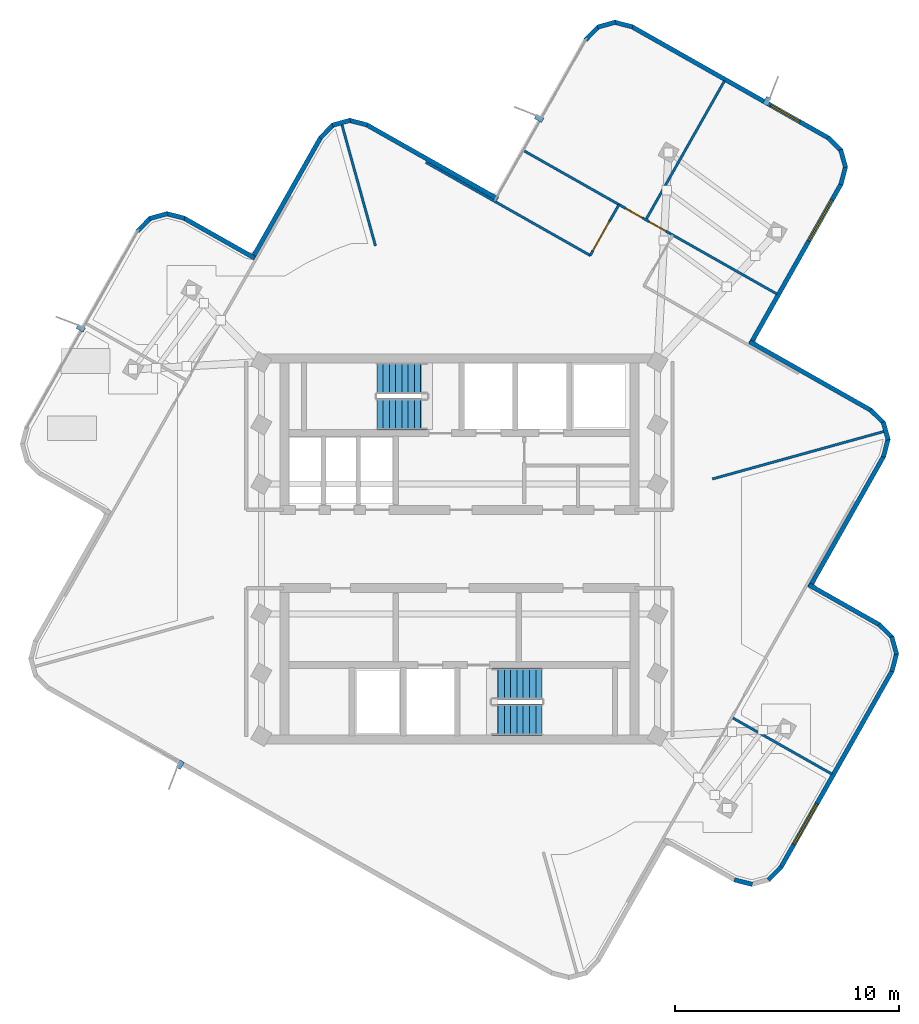
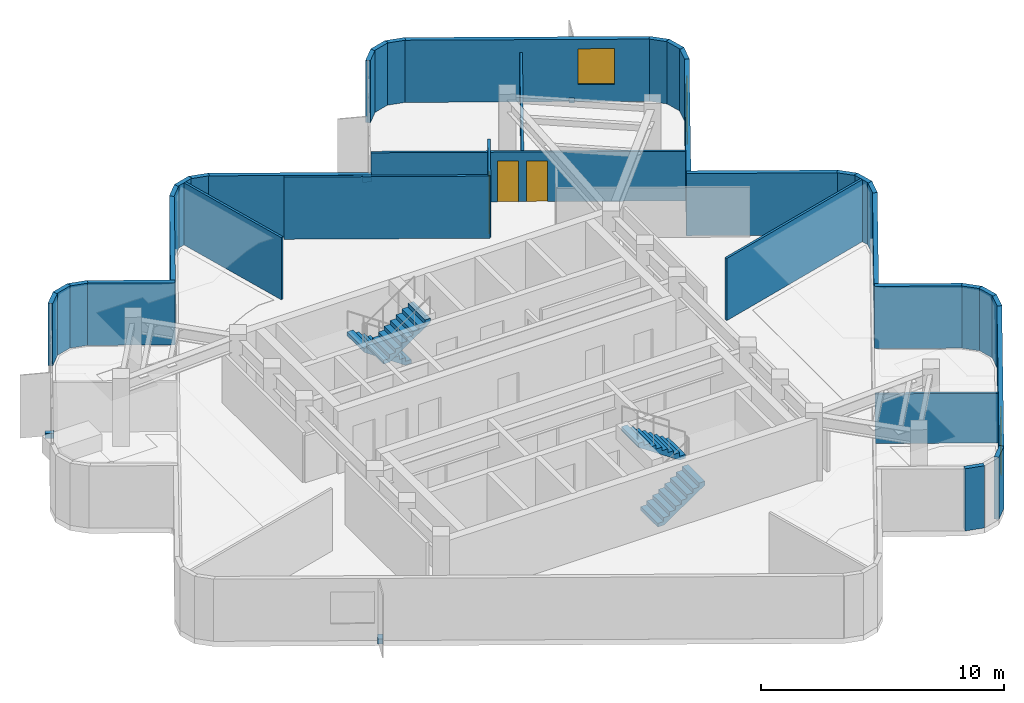
# One storey, part 7 of 11: 36 walls, 4 discrete accessories, 4 stair flights, 3 doors, 3 windows, 6 openings, 2 elements without a shape of their own.
"""IFC4 building model written with IfcOpenShell, lengths in metres."""

from ifc_helpers import new_model, si_unit, direction, frame, frame_2d, origin, origin_2d, place, context, subcontext, project, spatial, polyline, rectangle, outline, extrude, material, layer, layer_set, type_object, element, fill, aggregate, save


model = new_model("IFC4")

# Units and contexts
model_context = context("Model", 3, precision=1e-05, world=origin(), true_north=direction((0.0, 1.0)))
body_context = subcontext(model_context, "Body", "Model", "MODEL_VIEW")
ifc_project = project(units=[si_unit("LENGTHUNIT", "METRE"), si_unit("AREAUNIT", "SQUARE_METRE"), si_unit("VOLUMEUNIT", "CUBIC_METRE"), si_unit("PLANEANGLEUNIT", "RADIAN"), si_unit("MASSUNIT", "GRAM", prefix="KILO")], contexts=[model_context])

# Site, building, storey
site_placement = place(None, origin())
site = spatial("IfcSite", under=ifc_project, at=site_placement, CompositionType="ELEMENT")
building_placement = place(site_placement, origin())
building = spatial("IfcBuilding", under=site, at=building_placement, Name="Solmarez Civic Tower", CompositionType="ELEMENT")
storey_placement = place(building_placement, frame((0.0, 0.0, 281.699951171875)))
storey = spatial("IfcBuildingStorey", under=building, at=storey_placement, Name="L76", CompositionType="ELEMENT", Elevation=281.699951171875)

# Walls
ifc_material_1 = material(Name="Precast concrete C40/50", Category="concrete")
ifc_layer_1 = layer(ifc_material_1, 0.199951171875)
ifc_layer_set_1 = layer_set([ifc_layer_1], Name="Precast concrete C40/50")
wall_type_1 = type_object("IfcWallType", Name="WALL-EXT-200", PredefinedType="SOLIDWALL", material=ifc_layer_set_1)
wall_1_placement = place(storey_placement, frame((-14.382080078125, 14.19091796875, 0.0), z_axis=(0.0, 0.0, 1.0), x_axis=(0.701706468749, 0.712466161804, 0.0)))
element("IfcWall", 1, at=wall_1_placement, inside=storey, type_object=wall_type_1, Name="L76 Exterior Precast Wall 18", PredefinedType="SOLIDWALL", context=body_context, shape_type="SweptSolid", body=[
    extrude(rectangle(XDim=0.839599609375, YDim=0.199951171875, at=frame_2d((0.419921875, 0.0))), origin(), (0.0, 0.0, 1.0), 3.1201171875),
])
wall_2_placement = place(storey_placement, frame((-13.8349609375, 14.763916015625, 0.0), z_axis=(0.0, 0.0, 1.0), x_axis=(0.963780368541, 0.266697208862, 0.0)))
element("IfcWall", 2, at=wall_2_placement, inside=storey, type_object=wall_type_1, Name="L76 Exterior Precast Wall 19", PredefinedType="SOLIDWALL", context=body_context, shape_type="SweptSolid", body=[
    extrude(rectangle(XDim=0.82470703125, YDim=0.199951171875, at=frame_2d((0.412353515625, 0.0))), origin(), (0.0, 0.0, 1.0), 3.1201171875),
])
wall_3_placement = place(storey_placement, frame((-13.087890625, 14.98291015625, 0.0), z_axis=(0.0, 0.0, 1.0), x_axis=(0.968350107443, -0.249595812096, 0.0)))
element("IfcWall", 3, at=wall_3_placement, inside=storey, type_object=wall_type_1, Name="L76 Exterior Precast Wall 20", PredefinedType="SOLIDWALL", context=body_context, shape_type="SweptSolid", body=[
    extrude(rectangle(XDim=0.83740234375, YDim=0.199951171875, at=frame_2d((0.418701171875, 0.0))), origin(), (0.0, 0.0, 1.0), 3.1201171875),
])
wall_4_placement = place(storey_placement, frame((-12.322998046875, 14.7919921875, 0.0), z_axis=(0.0, 0.0, 1.0), x_axis=(0.870412972764, -0.492322309918, 0.0)))
element("IfcWall", 4, at=wall_4_placement, inside=storey, type_object=wall_type_1, Name="L76 Exterior Precast Wall 21", PredefinedType="SOLIDWALL", context=body_context, shape_type="SweptSolid", body=[
    extrude(rectangle(XDim=3.641845703125, YDim=0.199951171875, at=frame_2d((1.82080078125, 0.0))), origin(), (0.0, 0.0, 1.0), 3.1201171875),
])
wall_5_placement = place(storey_placement, frame((-9.261962890625, 12.968017578125, 0.0), z_axis=(0.0, 0.0, 1.0), x_axis=(0.492583125855, 0.87026539867, 0.0)))
element("IfcWall", 5, at=wall_5_placement, inside=storey, type_object=wall_type_1, Name="L76 Exterior Precast Wall 24", PredefinedType="SOLIDWALL", context=body_context, shape_type="SweptSolid", body=[
    extrude(rectangle(XDim=6.240478515625, YDim=0.199951171875, at=frame_2d((3.1201171875, 0.0))), origin(), (0.0, 0.0, 1.0), 3.1201171875),
])
wall_6_placement = place(storey_placement, frame((-6.218017578125, 18.35888671875, 0.0), z_axis=(0.0, 0.0, 1.0), x_axis=(0.701706468749, 0.712466161804, 0.0)))
element("IfcWall", 6, at=wall_6_placement, inside=storey, type_object=wall_type_1, Name="L76 Exterior Precast Wall 25", PredefinedType="SOLIDWALL", context=body_context, shape_type="SweptSolid", body=[
    extrude(rectangle(XDim=0.839599609375, YDim=0.199951171875, at=frame_2d((0.419921875, 0.0))), origin(), (0.0, 0.0, 1.0), 3.1201171875),
])
wall_7_placement = place(storey_placement, frame((-5.6708984375, 18.931884765625, 0.0), z_axis=(0.0, 0.0, 1.0), x_axis=(0.963313924885, 0.268377126675, 0.0)))
element("IfcWall", 7, at=wall_7_placement, inside=storey, type_object=wall_type_1, Name="L76 Exterior Precast Wall 26", PredefinedType="SOLIDWALL", context=body_context, shape_type="SweptSolid", body=[
    extrude(rectangle(XDim=0.82421875, YDim=0.199951171875, at=frame_2d((0.412109375, 0.0))), origin(), (0.0, 0.0, 1.0), 3.1201171875),
])
wall_8_placement = place(storey_placement, frame((-4.925048828125, 19.152099609375, 0.0), z_axis=(0.0, 0.0, 1.0), x_axis=(0.968015248239, -0.250891369276, 0.0)))
element("IfcWall", 8, at=wall_8_placement, inside=storey, type_object=wall_type_1, Name="L76 Exterior Precast Wall 27", PredefinedType="SOLIDWALL", context=body_context, shape_type="SweptSolid", body=[
    extrude(rectangle(XDim=0.837890625, YDim=0.199951171875, at=frame_2d((0.4189453125, 0.0))), origin(), (0.0, 0.0, 1.0), 3.1201171875),
])
wall_9_placement = place(storey_placement, frame((-4.159912109375, 18.9599609375, 0.0), z_axis=(0.0, 0.0, 1.0), x_axis=(0.870345588147, -0.492441425139, 0.0)))
element("IfcWall", 9, at=wall_9_placement, inside=storey, type_object=wall_type_1, Name="L76 Exterior Precast Wall 28", PredefinedType="SOLIDWALL", context=body_context, shape_type="SweptSolid", body=[
    extrude(rectangle(XDim=6.741943359375, YDim=0.199951171875, at=frame_2d((3.37109375, 0.0))), origin(), (0.0, 0.0, 1.0), 3.1201171875),
])
wall_10_placement = place(storey_placement, frame((5.62890625, 22.740966796875, 0.0), z_axis=(0.0, 0.0, 1.0), x_axis=(0.701706468749, 0.712466161804, 0.0)))
element("IfcWall", 10, at=wall_10_placement, inside=storey, type_object=wall_type_1, Name="L76 Exterior Precast Wall 32", PredefinedType="SOLIDWALL", context=body_context, shape_type="SweptSolid", body=[
    extrude(rectangle(XDim=0.839599609375, YDim=0.199951171875, at=frame_2d((0.419921875, 0.0))), origin(), (0.0, 0.0, 1.0), 3.1201171875),
])
wall_11_placement = place(storey_placement, frame((6.176025390625, 23.31396484375, 0.0), z_axis=(0.0, 0.0, 1.0), x_axis=(0.963390474438, 0.268102207677, 0.0)))
element("IfcWall", 11, at=wall_11_placement, inside=storey, type_object=wall_type_1, Name="L76 Exterior Precast Wall 33", PredefinedType="SOLIDWALL", context=body_context, shape_type="SweptSolid", body=[
    extrude(rectangle(XDim=0.82421875, YDim=0.199951171875, at=frame_2d((0.412109375, 0.0))), origin(), (0.0, 0.0, 1.0), 3.1201171875),
])
wall_12_placement = place(storey_placement, frame((6.922119140625, 23.533935546875, 0.0), z_axis=(0.0, 0.0, 1.0), x_axis=(0.968067673617, -0.250689009127, 0.0)))
element("IfcWall", 12, at=wall_12_placement, inside=storey, type_object=wall_type_1, Name="L76 Exterior Precast Wall 34", PredefinedType="SOLIDWALL", context=body_context, shape_type="SweptSolid", body=[
    extrude(rectangle(XDim=0.837646484375, YDim=0.199951171875, at=frame_2d((0.4189453125, 0.0))), origin(), (0.0, 0.0, 1.0), 3.1201171875),
])

# Wall, opening, window
wall_13_placement = place(storey_placement, frame((7.68701171875, 23.342041015625, 0.0), z_axis=(0.0, 0.0, 1.0), x_axis=(0.870205552017, -0.49268884424, 0.0)))
wall_13 = element("IfcWall", 13, at=wall_13_placement, inside=storey, type_object=wall_type_1, Name="L76 Exterior Precast Wall 35", PredefinedType="SOLIDWALL", context=body_context, shape_type="SweptSolid", body=[
    extrude(rectangle(XDim=10.1240234375, YDim=0.199951171875, at=frame_2d((5.06201171875, 0.0))), origin(), (0.0, 0.0, 1.0), 3.1201171875),
])
opening_1_placement = place(wall_13_placement, frame((7.14697265625, 0.0, 0.85009765625)))
opening_1 = element("IfcOpeningElement", 14, at=opening_1_placement, cuts=wall_13, Name="Opening W-13", PredefinedType="OPENING", context=body_context, shape_type="SweptSolid", body=[
    extrude(rectangle(XDim=1.5, YDim=1.800048828125, at=frame_2d((0.75, 0.89990234375))), frame((0.0, 0.10986328125, 0.0), z_axis=(0.0, -1.0, 0.0), x_axis=(1.0, 0.0, 0.0)), (0.0, 0.0, 1.0), 0.219970703125),
])
ifc_material_2 = material(Name="Solar Control Bronze-Tinted Insulating Glass", Category="glass")
window_type_1 = type_object("IfcWindowType", Name="WIN-1500X1800", PartitioningType="SINGLE_PANEL", PredefinedType="WINDOW", material=ifc_material_2)
window_1_placement = place(opening_1_placement, origin())
window_1 = element("IfcWindow", 15, at=window_1_placement, inside=storey, type_object=window_type_1, Name="L76 Exterior Facade Window 35", OverallHeight=1.800048828125, OverallWidth=1.5, PartitioningType="SINGLE_PANEL", PredefinedType="WINDOW", context=body_context, shape_type="SweptSolid", body=[
    extrude(rectangle(XDim=1.5, YDim=1.800048828125, at=frame_2d((0.75, 0.89990234375))), frame((0.0, 0.030029296875, 0.0), z_axis=(0.0, -1.0, 0.0), x_axis=(1.0, 0.0, 0.0)), (0.0, 0.0, 1.0), 0.06005859375),
])
fill(opening_1, window_1)

# Walls
wall_14_placement = place(storey_placement, frame((16.45703125, 18.384033203125, 0.0), z_axis=(0.0, 0.0, 1.0), x_axis=(0.712904820367, -0.701260805334, 0.0)))
element("IfcWall", 16, at=wall_14_placement, inside=storey, type_object=wall_type_1, Name="L76 Exterior Precast Wall 36", PredefinedType="SOLIDWALL", context=body_context, shape_type="SweptSolid", body=[
    extrude(rectangle(XDim=0.838623046875, YDim=0.199951171875, at=frame_2d((0.41943359375, 0.0))), origin(), (0.0, 0.0, 1.0), 3.1201171875),
])
wall_15_placement = place(storey_placement, frame((17.030029296875, 17.837890625, 0.0), z_axis=(0.0, 0.0, 1.0), x_axis=(0.267796477586, -0.963475503888, 0.0)))
element("IfcWall", 17, at=wall_15_placement, inside=storey, type_object=wall_type_1, Name="L76 Exterior Precast Wall 37", PredefinedType="SOLIDWALL", context=body_context, shape_type="SweptSolid", body=[
    extrude(rectangle(XDim=0.824951171875, YDim=0.199951171875, at=frame_2d((0.41259765625, 0.0))), origin(), (0.0, 0.0, 1.0), 3.1201171875),
])
wall_16_placement = place(storey_placement, frame((17.25, 17.091064453125, 0.0), z_axis=(0.0, 0.0, 1.0), x_axis=(-0.250618286331, -0.968085985105, 0.0)))
element("IfcWall", 18, at=wall_16_placement, inside=storey, type_object=wall_type_1, Name="L76 Exterior Precast Wall 38", PredefinedType="SOLIDWALL", context=body_context, shape_type="SweptSolid", body=[
    extrude(rectangle(XDim=0.837890625, YDim=0.199951171875, at=frame_2d((0.4189453125, 0.0))), origin(), (0.0, 0.0, 1.0), 3.1201171875),
])

# Wall, opening, window
wall_17_placement = place(storey_placement, frame((17.05810546875, 16.325927734375, 0.0), z_axis=(0.0, 0.0, 1.0), x_axis=(-0.492504245901, -0.870310041175, 0.0)))
wall_17 = element("IfcWall", 19, at=wall_17_placement, inside=storey, type_object=wall_type_1, Name="L76 Exterior Precast Wall 39", PredefinedType="SOLIDWALL", context=body_context, shape_type="SweptSolid", body=[
    extrude(rectangle(XDim=8.24169921875, YDim=0.199951171875, at=frame_2d((4.120849609375, 0.0))), origin(), (0.0, 0.0, 1.0), 3.1201171875),
])
opening_2_placement = place(wall_17_placement, frame((0.85009765625, 0.0, 0.85009765625)))
opening_2 = element("IfcOpeningElement", 20, at=opening_2_placement, cuts=wall_17, Name="Opening W-03", PredefinedType="OPENING", context=body_context, shape_type="SweptSolid", body=[
    extrude(rectangle(XDim=2.10009765625, YDim=2.0, at=frame_2d((1.050048828125, 1.0))), frame((0.0, 0.10986328125, 0.0), z_axis=(0.0, -1.0, 0.0), x_axis=(1.0, 0.0, 0.0)), (0.0, 0.0, 1.0), 0.219970703125),
])
window_type_2 = type_object("IfcWindowType", Name="WIN-2100X2000", PartitioningType="SINGLE_PANEL", PredefinedType="WINDOW", material=ifc_material_2)
window_2_placement = place(opening_2_placement, origin())
window_2 = element("IfcWindow", 21, at=window_2_placement, inside=storey, type_object=window_type_2, Name="L76 Exterior Facade Window 39", OverallHeight=2.0, OverallWidth=2.10009765625, PartitioningType="SINGLE_PANEL", PredefinedType="WINDOW", context=body_context, shape_type="SweptSolid", body=[
    extrude(rectangle(XDim=2.10009765625, YDim=2.0, at=frame_2d((1.050048828125, 1.0))), frame((0.0, 0.030029296875, 0.0), z_axis=(0.0, -1.0, 0.0), x_axis=(1.0, 0.0, 0.0)), (0.0, 0.0, 1.0), 0.06005859375),
])
fill(opening_2, window_2)

# Walls
wall_18_placement = place(storey_placement, frame((12.968017578125, 9.261962890625, 0.0), z_axis=(0.0, 0.0, 1.0), x_axis=(0.87026539867, -0.492583125855, 0.0)))
element("IfcWall", 22, at=wall_18_placement, inside=storey, type_object=wall_type_1, Name="L76 Exterior Precast Wall 42", PredefinedType="SOLIDWALL", context=body_context, shape_type="SweptSolid", body=[
    extrude(rectangle(XDim=6.240478515625, YDim=0.199951171875, at=frame_2d((3.1201171875, 0.0))), origin(), (0.0, 0.0, 1.0), 3.1201171875),
])
wall_19_placement = place(storey_placement, frame((18.35888671875, 6.218017578125, 0.0), z_axis=(0.0, 0.0, 1.0), x_axis=(0.712466161804, -0.701706468749, 0.0)))
element("IfcWall", 23, at=wall_19_placement, inside=storey, type_object=wall_type_1, Name="L76 Exterior Precast Wall 43", PredefinedType="SOLIDWALL", context=body_context, shape_type="SweptSolid", body=[
    extrude(rectangle(XDim=0.839599609375, YDim=0.199951171875, at=frame_2d((0.419921875, 0.0))), origin(), (0.0, 0.0, 1.0), 3.1201171875),
])
wall_20_placement = place(storey_placement, frame((18.931884765625, 5.6708984375, 0.0), z_axis=(0.0, 0.0, 1.0), x_axis=(0.268377126675, -0.963313924885, 0.0)))
element("IfcWall", 24, at=wall_20_placement, inside=storey, type_object=wall_type_1, Name="L76 Exterior Precast Wall 44", PredefinedType="SOLIDWALL", context=body_context, shape_type="SweptSolid", body=[
    extrude(rectangle(XDim=0.82421875, YDim=0.199951171875, at=frame_2d((0.412109375, 0.0))), origin(), (0.0, 0.0, 1.0), 3.1201171875),
])
wall_21_placement = place(storey_placement, frame((19.152099609375, 4.925048828125, 0.0), z_axis=(0.0, 0.0, 1.0), x_axis=(-0.250891369276, -0.968015248239, 0.0)))
element("IfcWall", 25, at=wall_21_placement, inside=storey, type_object=wall_type_1, Name="L76 Exterior Precast Wall 45", PredefinedType="SOLIDWALL", context=body_context, shape_type="SweptSolid", body=[
    extrude(rectangle(XDim=0.837890625, YDim=0.199951171875, at=frame_2d((0.4189453125, 0.0))), origin(), (0.0, 0.0, 1.0), 3.1201171875),
])
wall_22_placement = place(storey_placement, frame((18.9599609375, 4.159912109375, 0.0), z_axis=(0.0, 0.0, 1.0), x_axis=(-0.492441425139, -0.870345588147, 0.0)))
element("IfcWall", 26, at=wall_22_placement, inside=storey, type_object=wall_type_1, Name="L76 Exterior Precast Wall 46", PredefinedType="SOLIDWALL", context=body_context, shape_type="SweptSolid", body=[
    extrude(rectangle(XDim=6.741943359375, YDim=0.199951171875, at=frame_2d((3.37109375, 0.0))), origin(), (0.0, 0.0, 1.0), 3.1201171875),
])
wall_23_placement = place(storey_placement, frame((15.60888671875, -1.59912109375, 0.0), z_axis=(0.0, 0.0, 1.0), x_axis=(0.87036421417, -0.49240850388, 0.0)))
element("IfcWall", 27, at=wall_23_placement, inside=storey, type_object=wall_type_1, Name="L76 Exterior Precast Wall 49", PredefinedType="SOLIDWALL", context=body_context, shape_type="SweptSolid", body=[
    extrude(rectangle(XDim=3.64111328125, YDim=0.199951171875, at=frame_2d((1.820556640625, 0.0))), origin(), (0.0, 0.0, 1.0), 3.1201171875),
])
wall_24_placement = place(storey_placement, frame((18.738037109375, -3.362060546875, 0.0), z_axis=(0.0, 0.0, 1.0), x_axis=(0.712468358306, -0.70170423856, 0.0)))
element("IfcWall", 28, at=wall_24_placement, inside=storey, type_object=wall_type_1, Name="L76 Exterior Precast Wall 50", PredefinedType="SOLIDWALL", context=body_context, shape_type="SweptSolid", body=[
    extrude(rectangle(XDim=0.839111328125, YDim=0.199951171875, at=frame_2d((0.41943359375, 0.0))), origin(), (0.0, 0.0, 1.0), 3.1201171875),
])
wall_25_placement = place(storey_placement, frame((19.31103515625, -3.908935546875, 0.0), z_axis=(0.0, 0.0, 1.0), x_axis=(0.267720149776, -0.963496715824, 0.0)))
element("IfcWall", 29, at=wall_25_placement, inside=storey, type_object=wall_type_1, Name="L76 Exterior Precast Wall 51", PredefinedType="SOLIDWALL", context=body_context, shape_type="SweptSolid", body=[
    extrude(rectangle(XDim=0.8251953125, YDim=0.199951171875, at=frame_2d((0.41259765625, 0.0))), origin(), (0.0, 0.0, 1.0), 3.1201171875),
])
wall_26_placement = place(storey_placement, frame((19.531005859375, -4.656005859375, 0.0), z_axis=(0.0, 0.0, 1.0), x_axis=(-0.250618286331, -0.968085985105, 0.0)))
element("IfcWall", 30, at=wall_26_placement, inside=storey, type_object=wall_type_1, Name="L76 Exterior Precast Wall 52", PredefinedType="SOLIDWALL", context=body_context, shape_type="SweptSolid", body=[
    extrude(rectangle(XDim=0.837890625, YDim=0.199951171875, at=frame_2d((0.4189453125, 0.0))), origin(), (0.0, 0.0, 1.0), 3.1201171875),
])

# Wall, opening, window
wall_27_placement = place(storey_placement, frame((19.339111328125, -5.4208984375, 0.0), z_axis=(0.0, 0.0, 1.0), x_axis=(-0.492615794655, -0.870246906835, 0.0)))
wall_27 = element("IfcWall", 31, at=wall_27_placement, inside=storey, type_object=wall_type_1, Name="L76 Exterior Precast Wall 53", PredefinedType="SOLIDWALL", context=body_context, shape_type="SweptSolid", body=[
    extrude(rectangle(XDim=10.12353515625, YDim=0.199951171875, at=frame_2d((5.061767578125, 0.0))), origin(), (0.0, 0.0, 1.0), 3.1201171875),
])
opening_3_placement = place(wall_27_placement, frame((6.845947265625, 0.0, 0.85009765625)))
opening_3 = element("IfcOpeningElement", 32, at=opening_3_placement, cuts=wall_27, Name="Opening W-03", PredefinedType="OPENING", context=body_context, shape_type="SweptSolid", body=[
    extrude(rectangle(XDim=2.10009765625, YDim=2.0, at=frame_2d((1.050048828125, 1.0))), frame((0.0, 0.10986328125, 0.0), z_axis=(0.0, -1.0, 0.0), x_axis=(1.0, 0.0, 0.0)), (0.0, 0.0, 1.0), 0.219970703125),
])
window_3_placement = place(opening_3_placement, origin())
window_3 = element("IfcWindow", 33, at=window_3_placement, inside=storey, type_object=window_type_2, Name="L76 Exterior Facade Window 53", OverallHeight=2.0, OverallWidth=2.10009765625, PartitioningType="SINGLE_PANEL", PredefinedType="WINDOW", context=body_context, shape_type="SweptSolid", body=[
    extrude(rectangle(XDim=2.10009765625, YDim=2.0, at=frame_2d((1.050048828125, 1.0))), frame((0.0, 0.030029296875, 0.0), z_axis=(0.0, -1.0, 0.0), x_axis=(1.0, 0.0, 0.0)), (0.0, 0.0, 1.0), 0.06005859375),
])
fill(opening_3, window_3)

# Walls
wall_28_placement = place(storey_placement, frame((14.382080078125, -14.19091796875, 0.0), z_axis=(0.0, 0.0, 1.0), x_axis=(-0.701706468749, -0.712466161804, 0.0)))
element("IfcWall", 34, at=wall_28_placement, inside=storey, type_object=wall_type_1, Name="L76 Exterior Precast Wall 54", PredefinedType="SOLIDWALL", context=body_context, shape_type="SweptSolid", body=[
    extrude(rectangle(XDim=0.839599609375, YDim=0.199951171875, at=frame_2d((0.419921875, 0.0))), origin(), (0.0, 0.0, 1.0), 3.1201171875),
])
wall_29_placement = place(storey_placement, frame((13.087890625, -14.98291015625, 0.0), z_axis=(0.0, 0.0, 1.0), x_axis=(-0.968350107443, 0.249595812096, 0.0)))
element("IfcWall", 35, at=wall_29_placement, inside=storey, type_object=wall_type_1, Name="L76 Exterior Precast Wall 56", PredefinedType="SOLIDWALL", context=body_context, shape_type="SweptSolid", body=[
    extrude(rectangle(XDim=0.83740234375, YDim=0.199951171875, at=frame_2d((0.418701171875, 0.0))), origin(), (0.0, 0.0, 1.0), 3.1201171875),
])
ifc_material_3 = material(Name="Gypsum Board Acoustic Steel-Stud Partition", Category="steel")
ifc_layer_2 = layer(ifc_material_3, 0.110107421875)
ifc_layer_set_2 = layer_set([ifc_layer_2], Name="Gypsum Board Acoustic Steel-Stud Partition")
wall_type_2 = type_object("IfcWallType", Name="WALL-INT-PART-110", PredefinedType="PARTITIONING", material=ifc_layer_set_2)
wall_30_placement = place(storey_placement, frame((-3.75, 13.5400390625, 0.0), z_axis=(0.0, 0.0, 1.0), x_axis=(-0.266822842302, 0.963745594452, 0.0)))
element("IfcWall", 36, at=wall_30_placement, inside=storey, type_object=wall_type_2, Name="L76 Interior Partition PT-L76-QDIV-1", PredefinedType="PARTITIONING", context=body_context, shape_type="SweptSolid", body=[
    extrude(rectangle(XDim=5.64453125, YDim=0.110107421875, at=frame_2d((2.822265625, 0.0))), origin(), (0.0, 0.0, 1.0), 3.1201171875),
])
wall_31_placement = place(storey_placement, frame((11.300048828125, 3.1298828125, 0.0), z_axis=(0.0, 0.0, 1.0), x_axis=(0.963747113025, 0.26681735726, 0.0)))
element("IfcWall", 37, at=wall_31_placement, inside=storey, type_object=wall_type_2, Name="L76 Interior Partition PT-L76-QDIV-4", PredefinedType="PARTITIONING", context=body_context, shape_type="SweptSolid", body=[
    extrude(rectangle(XDim=7.96875, YDim=0.110107421875, at=frame_2d((3.984375, 0.0))), origin(), (0.0, 0.0, 1.0), 3.1201171875),
])
wall_32_placement = place(storey_placement, frame((5.84912109375, 13.110107421875, 0.0), z_axis=(0.0, 0.0, 1.0), x_axis=(-0.870169207172, 0.49275303235, 0.0)))
element("IfcWall", 38, at=wall_32_placement, inside=storey, type_object=wall_type_2, Name="L76 Interior Partition PT-L76-E-EFL", PredefinedType="PARTITIONING", context=body_context, shape_type="SweptSolid", body=[
    extrude(rectangle(XDim=8.4501953125, YDim=0.110107421875, at=frame_2d((4.22509765625, 0.0))), origin(), (0.0, 0.0, 1.0), 3.1201171875),
])

# Wall, opening, door
wall_33_placement = place(storey_placement, frame((7.1259765625, 15.385986328125, 0.0), z_axis=(0.0, 0.0, 1.0), x_axis=(-0.492719860856, -0.870187990447, 0.0)))
wall_33 = element("IfcWall", 39, at=wall_33_placement, inside=storey, type_object=wall_type_2, Name="L76 Interior Partition PT-L76-E-SL", PredefinedType="PARTITIONING", context=body_context, shape_type="SweptSolid", body=[
    extrude(rectangle(XDim=2.60986328125, YDim=0.110107421875, at=frame_2d((1.304931640625, 0.0))), origin(), (0.0, 0.0, 1.0), 3.1201171875),
])
opening_4_placement = place(wall_33_placement, frame((0.85498046875, 0.0, 0.0)))
opening_4 = element("IfcOpeningElement", 40, at=opening_4_placement, cuts=wall_33, Name="Opening D-16", PredefinedType="OPENING", context=body_context, shape_type="SweptSolid", body=[
    extrude(rectangle(XDim=1.5, YDim=2.1201171875, at=frame_2d((0.75, 1.06005859375))), frame((0.0, 0.06494140625, 0.0), z_axis=(0.0, -1.0, 0.0), x_axis=(1.0, 0.0, 0.0)), (0.0, 0.0, 1.0), 0.130126953125),
])
ifc_material_4 = material(Name="Diplomatic Protocol Reception Door", Category="wood")
door_type_1 = type_object("IfcDoorType", Name="DOOR-INT-1500", OperationType="NOTDEFINED", PredefinedType="DOOR", material=ifc_material_4)
door_1_placement = place(opening_4_placement, origin())
door_1 = element("IfcDoor", 41, at=door_1_placement, inside=storey, type_object=door_type_1, Name="L76 Executive Chamber Tribunal Mediation Conference Room East Door", OperationType="SINGLE_SWING_LEFT", OverallHeight=2.1201171875, OverallWidth=1.5, PredefinedType="DOOR", context=body_context, shape_type="SweptSolid", body=[
    extrude(rectangle(XDim=1.5, YDim=2.1201171875, at=frame_2d((0.75, 1.06005859375))), frame((0.0, 0.02490234375, 0.0), z_axis=(0.0, -1.0, 0.0), x_axis=(1.0, 0.0, 0.0)), (0.0, 0.0, 1.0), 0.050048828125),
])
fill(opening_4, door_1)

# Wall
wall_34_placement = place(storey_placement, frame((8.35693359375, 14.758056640625, 0.0), z_axis=(0.0, 0.0, 1.0), x_axis=(0.492600685366, 0.870255459493, 0.0)))
element("IfcWall", 42, at=wall_34_placement, inside=storey, type_object=wall_type_2, Name="L76 Interior Partition PT-L76-E-TM", PredefinedType="PARTITIONING", context=body_context, shape_type="SweptSolid", body=[
    extrude(rectangle(XDim=7.074951171875, YDim=0.110107421875, at=frame_2d((3.53759765625, 0.0))), origin(), (0.0, 0.0, 1.0), 2.489990234375),
])

# Wall, openings, doors
wall_35_placement = place(storey_placement, frame((2.902099609375, 17.778076171875, 0.0), z_axis=(0.0, 0.0, 1.0), x_axis=(0.870194117035, -0.492709040588, 0.0)))
wall_35 = element("IfcWall", 43, at=wall_35_placement, inside=storey, type_object=wall_type_2, Name="L76 Interior Partition PT-L76-E-END", PredefinedType="PARTITIONING", context=body_context, shape_type="SweptSolid", body=[
    extrude(rectangle(XDim=12.969482421875, YDim=0.110107421875, at=frame_2d((6.48486328125, 0.0))), origin(), (0.0, 0.0, 1.0), 2.489990234375),
])
opening_5_placement = place(wall_35_placement, frame((6.405029296875, 0.0, 0.0)))
opening_5 = element("IfcOpeningElement", 44, at=opening_5_placement, cuts=wall_35, Name="Opening D-14", PredefinedType="OPENING", context=body_context, shape_type="SweptSolid", body=[
    extrude(rectangle(XDim=0.860107421875, YDim=2.0400390625, at=frame_2d((0.43017578125, 1.02001953125))), frame((0.0, 0.06494140625, 0.0), z_axis=(0.0, -1.0, 0.0), x_axis=(1.0, 0.0, 0.0)), (0.0, 0.0, 1.0), 0.130126953125),
])
opening_6_placement = place(wall_35_placement, frame((5.205078125, 0.0, 0.0)))
opening_6 = element("IfcOpeningElement", 45, at=opening_6_placement, cuts=wall_35, Name="Opening D-14", PredefinedType="OPENING", context=body_context, shape_type="SweptSolid", body=[
    extrude(rectangle(XDim=0.860107421875, YDim=2.0400390625, at=frame_2d((0.43017578125, 1.02001953125))), frame((0.0, 0.06494140625, 0.0), z_axis=(0.0, -1.0, 0.0), x_axis=(1.0, 0.0, 0.0)), (0.0, 0.0, 1.0), 0.130126953125),
])
ifc_material_5 = material(Name="Timber Storage and Pantry Door", Category="wood")
door_type_2 = type_object("IfcDoorType", Name="DOOR-INT-850", OperationType="NOTDEFINED", PredefinedType="DOOR", material=ifc_material_5)
door_2_placement = place(opening_5_placement, origin())
door_2 = element("IfcDoor", 46, at=door_2_placement, inside=storey, type_object=door_type_2, Name="L76 Delegates Lounge Sixth East Door", OperationType="SINGLE_SWING_RIGHT", OverallHeight=2.0400390625, OverallWidth=0.860107421875, PredefinedType="DOOR", context=body_context, shape_type="SweptSolid", body=[
    extrude(rectangle(XDim=0.860107421875, YDim=2.0400390625, at=frame_2d((0.43017578125, 1.02001953125))), frame((0.0, 0.02490234375, 0.0), z_axis=(0.0, -1.0, 0.0), x_axis=(1.0, 0.0, 0.0)), (0.0, 0.0, 1.0), 0.050048828125),
])
fill(opening_5, door_2)
door_3_placement = place(opening_6_placement, origin())
door_3 = element("IfcDoor", 47, at=door_3_placement, inside=storey, type_object=door_type_2, Name="L76 Public Reading Room Fifth East Door", OperationType="SINGLE_SWING_LEFT", OverallHeight=2.0400390625, OverallWidth=0.860107421875, PredefinedType="DOOR", context=body_context, shape_type="SweptSolid", body=[
    extrude(rectangle(XDim=0.860107421875, YDim=2.0400390625, at=frame_2d((0.43017578125, 1.02001953125))), frame((0.0, 0.02490234375, 0.0), z_axis=(0.0, -1.0, 0.0), x_axis=(1.0, 0.0, 0.0)), (0.0, 0.0, 1.0), 0.050048828125),
])
fill(opening_6, door_3)

# Wall
wall_36_placement = place(storey_placement, frame((12.216064453125, -7.549072265625, 0.0), z_axis=(0.0, 0.0, 1.0), x_axis=(0.870245204201, -0.492618802488, 0.0)))
element("IfcWall", 48, at=wall_36_placement, inside=storey, type_object=wall_type_2, Name="L76 Interior Partition PT-L76-S-ALM", PredefinedType="PARTITIONING", context=body_context, shape_type="SweptSolid", body=[
    extrude(rectangle(XDim=5.084716796875, YDim=0.110107421875, at=frame_2d((2.54248046875, 0.0))), origin(), (0.0, 0.0, 1.0), 2.489990234375),
])

# Stair, stair flights
ifc_material_6 = material(Name="Concrete C50/60", Category="concrete")
stair_type = type_object("IfcStairType", Name="STAIR-DOGLEG-140W-18R-1900", PredefinedType="HALF_TURN_STAIR", material=ifc_material_6)
stair_1_placement = place(storey_placement, origin())
stair_1 = element("IfcStair", 49, at=stair_1_placement, inside=storey, type_object=stair_type, Name="L76 North Core Protected Exit Stair ST-1", PredefinedType="HALF_TURN_STAIR")
stair_flight_type = type_object("IfcStairFlightType", Name="FLIGHT-DOGLEG-140W-9R-1900", PredefinedType="STRAIGHT", material=ifc_material_6)
stair_flight_1_placement = place(storey_placement, frame((-1.449951171875, 7.6201171875, 0.0), z_axis=(0.0, 0.0, 1.0), x_axis=(-1.0, 0.0, 0.0)))
stair_flight_1 = element("IfcStairFlight", 50, at=stair_flight_1_placement, type_object=stair_flight_type, Name="ST-1 flight 1", NumberOfRisers=9, NumberOfTreads=8, PredefinedType="STRAIGHT", RiserHeight=0.19, TreadLength=0.28, context=body_context, shape_type="SweptSolid", body=[
    extrude(outline(polyline([(0.0, 0.0), (0.0, 0.18994140625), (0.280029296875, 0.18994140625), (0.280029296875, 0.3798828125), (0.56005859375, 0.3798828125), (0.56005859375, 0.570068359375), (0.840087890625, 0.570068359375), (0.840087890625, 0.760009765625), (1.1201171875, 0.760009765625), (1.1201171875, 0.949951171875), (1.39990234375, 0.949951171875), (1.39990234375, 1.139892578125), (1.679931640625, 1.139892578125), (1.679931640625, 1.330078125), (1.9599609375, 1.330078125), (1.9599609375, 1.52001953125), (2.239990234375, 1.52001953125), (2.239990234375, 1.7099609375), (2.239990234375, 1.32666015625), (0.284912109375, 0.0), (0.0, 0.0)])), frame((0.0, 0.699951171875, 0.0), z_axis=(0.0, -1.0, 0.0), x_axis=(1.0, 0.0, 0.0)), (0.0, 0.0, 1.0), 1.39990234375),
])
stair_flight_2_placement = place(storey_placement, frame((-3.68994140625, 6.02001953125, 1.7099609375), z_axis=(0.0, 0.0, 1.0), x_axis=(1.0, 0.0, 0.0)))
stair_flight_2 = element("IfcStairFlight", 51, at=stair_flight_2_placement, type_object=stair_flight_type, Name="ST-1 flight 2", NumberOfRisers=9, NumberOfTreads=8, PredefinedType="STRAIGHT", RiserHeight=0.19, TreadLength=0.28, context=body_context, shape_type="SweptSolid", body=[
    extrude(outline(polyline([(0.0, 0.0), (0.0, 0.18994140625), (0.280029296875, 0.18994140625), (0.280029296875, 0.3798828125), (0.56005859375, 0.3798828125), (0.56005859375, 0.570068359375), (0.840087890625, 0.570068359375), (0.840087890625, 0.760009765625), (1.1201171875, 0.760009765625), (1.1201171875, 0.949951171875), (1.39990234375, 0.949951171875), (1.39990234375, 1.139892578125), (1.679931640625, 1.139892578125), (1.679931640625, 1.330078125), (1.9599609375, 1.330078125), (1.9599609375, 1.52001953125), (2.239990234375, 1.52001953125), (2.239990234375, 1.7099609375), (2.239990234375, 1.32666015625), (0.284912109375, 0.0), (0.0, 0.0)])), frame((0.0, 0.699951171875, 0.0), z_axis=(0.0, -1.0, 0.0), x_axis=(1.0, 0.0, 0.0)), (0.0, 0.0, 1.0), 1.39990234375),
])
aggregate(stair_1, [stair_flight_1, stair_flight_2])

stair_2_placement = place(storey_placement, origin())
stair_2 = element("IfcStair", 52, at=stair_2_placement, inside=storey, type_object=stair_type, Name="L76 South Core Protected Exit Stair ST-2", PredefinedType="HALF_TURN_STAIR")
stair_flight_3_placement = place(storey_placement, frame((1.449951171875, -7.6201171875, 0.0), z_axis=(0.0, 0.0, 1.0), x_axis=(1.0, 0.0, 0.0)))
stair_flight_3 = element("IfcStairFlight", 53, at=stair_flight_3_placement, type_object=stair_flight_type, Name="ST-2 flight 1", NumberOfRisers=9, NumberOfTreads=8, PredefinedType="STRAIGHT", RiserHeight=0.19, TreadLength=0.28, context=body_context, shape_type="SweptSolid", body=[
    extrude(outline(polyline([(0.0, 0.0), (0.0, 0.18994140625), (0.280029296875, 0.18994140625), (0.280029296875, 0.3798828125), (0.56005859375, 0.3798828125), (0.56005859375, 0.570068359375), (0.840087890625, 0.570068359375), (0.840087890625, 0.760009765625), (1.1201171875, 0.760009765625), (1.1201171875, 0.949951171875), (1.39990234375, 0.949951171875), (1.39990234375, 1.139892578125), (1.679931640625, 1.139892578125), (1.679931640625, 1.330078125), (1.9599609375, 1.330078125), (1.9599609375, 1.52001953125), (2.239990234375, 1.52001953125), (2.239990234375, 1.7099609375), (2.239990234375, 1.32666015625), (0.284912109375, 0.0), (0.0, 0.0)])), frame((0.0, 0.699951171875, 0.0), z_axis=(0.0, -1.0, 0.0), x_axis=(1.0, 0.0, 0.0)), (0.0, 0.0, 1.0), 1.39990234375),
])
stair_flight_4_placement = place(storey_placement, frame((3.68994140625, -6.02001953125, 1.7099609375), z_axis=(0.0, 0.0, 1.0), x_axis=(-1.0, 0.0, 0.0)))
stair_flight_4 = element("IfcStairFlight", 54, at=stair_flight_4_placement, type_object=stair_flight_type, Name="ST-2 flight 2", NumberOfRisers=9, NumberOfTreads=8, PredefinedType="STRAIGHT", RiserHeight=0.19, TreadLength=0.28, context=body_context, shape_type="SweptSolid", body=[
    extrude(outline(polyline([(0.0, 0.0), (0.0, 0.18994140625), (0.280029296875, 0.18994140625), (0.280029296875, 0.3798828125), (0.56005859375, 0.3798828125), (0.56005859375, 0.570068359375), (0.840087890625, 0.570068359375), (0.840087890625, 0.760009765625), (1.1201171875, 0.760009765625), (1.1201171875, 0.949951171875), (1.39990234375, 0.949951171875), (1.39990234375, 1.139892578125), (1.679931640625, 1.139892578125), (1.679931640625, 1.330078125), (1.9599609375, 1.330078125), (1.9599609375, 1.52001953125), (2.239990234375, 1.52001953125), (2.239990234375, 1.7099609375), (2.239990234375, 1.32666015625), (0.284912109375, 0.0), (0.0, 0.0)])), frame((0.0, 0.699951171875, 0.0), z_axis=(0.0, -1.0, 0.0), x_axis=(1.0, 0.0, 0.0)), (0.0, 0.0, 1.0), 1.39990234375),
])
aggregate(stair_2, [stair_flight_3, stair_flight_4])

# Discrete accessories
ifc_material_7 = material(Name="Stainless Steel Grade 1.4401", Category="steel")
discrete_accessory_type = type_object("IfcDiscreteAccessoryType", Name="BRACKET-SS-FIN", PredefinedType="BRACKET", material=ifc_material_7)
for number, where, z_axis, x_axis, name in (
    (55, (-12.47412109375, -9.634033203125, -0.06005859375), (0.0, 0.0, 1.0), (-0.492705359659, -0.870196201189, 0.0), "L76 Stainless Fin Support Bracket FIN-L76-01"),
    (56, (-16.9150390625, 9.864990234375, -0.06005859375), (0.0, 0.0, 1.0), (-0.87020947719, 0.492681911387, 0.0), "L76 Stainless Fin Support Bracket FIN-L76-02"),
    (57, (3.55908203125, 19.23388671875, -0.06005859375), (0.0, 0.0, 1.0), (-0.870180297038, 0.492733447866, 0.0), "L76 Stainless Fin Support Bracket FIN-L76-03"),
    (58, (13.72802734375, 20.012939453125, -0.06005859375), (0.0, 0.0, 1.0), (0.492757080272, 0.870166914932, 0.0), "L76 Stainless Fin Support Bracket FIN-L76-04"),
):
    element("IfcDiscreteAccessory", number, at=place(storey_placement, frame(where, z_axis=z_axis, x_axis=x_axis)), inside=storey, type_object=discrete_accessory_type, Name=name, PredefinedType="BRACKET", context=body_context, shape_type="SweptSolid", body=[
        extrude(rectangle(XDim=0.360107421875, YDim=0.219970703125, at=origin_2d()), origin(), (0.0, 0.0, 1.0), 0.239990234375),
    ])

save(model, "model.ifc")
